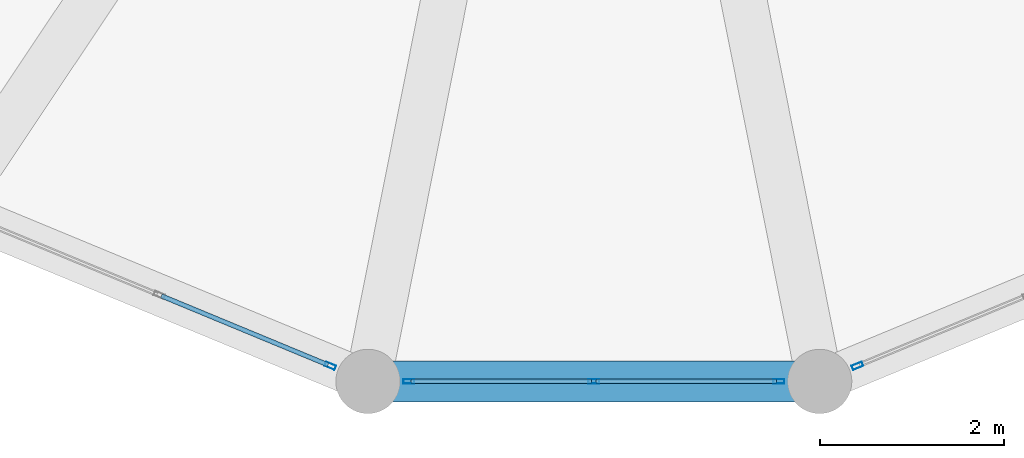
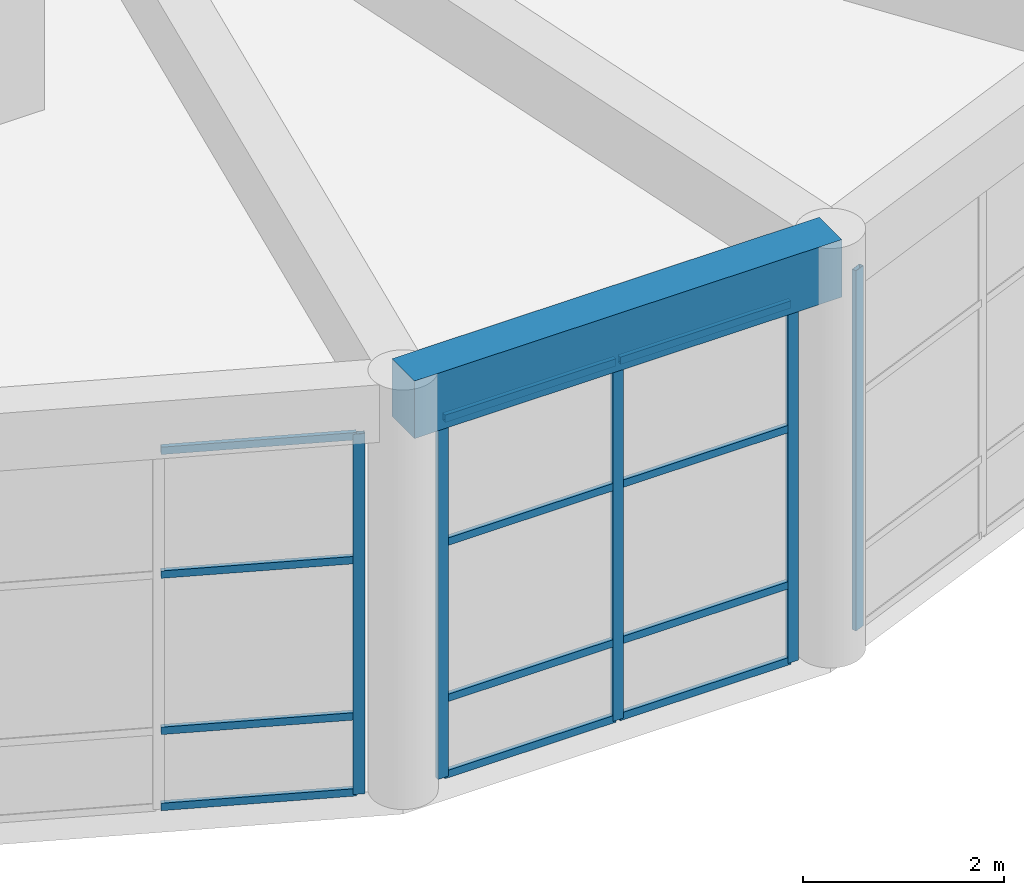
# One storey, part 5 of 95: 17 members, 1 beam, 3 elements without a shape of their own.
"""IFC4 building model written with IfcOpenShell, lengths in metres."""

from ifc_helpers import new_model, si_unit, direction, frame, origin, origin_2d, place, context, subcontext, project, spatial, rectangle, hollow_rectangle, extrude, material, material_profile, profile_set, type_object, element, aggregate, save


model = new_model("IFC4")

# Units and contexts
model_context = context("Model", 3, precision=1e-05, world=origin(), true_north=direction((0.0, 1.0)))
body_context = subcontext(model_context, "Body", "Model", "MODEL_VIEW")
ifc_project = project(units=[si_unit("LENGTHUNIT", "METRE"), si_unit("AREAUNIT", "SQUARE_METRE"), si_unit("VOLUMEUNIT", "CUBIC_METRE"), si_unit("PLANEANGLEUNIT", "RADIAN"), si_unit("MASSUNIT", "GRAM", prefix="KILO")], contexts=[model_context])

# Site, building, storey
site_placement = place(None, origin())
site = spatial("IfcSite", under=ifc_project, at=site_placement, CompositionType="ELEMENT")
building_placement = place(site_placement, origin())
building = spatial("IfcBuilding", under=site, at=building_placement, Name="Almacenes y Pasaje Nevantli", CompositionType="ELEMENT")
storey_placement = place(building_placement, frame((0.0, 0.0, 11.39990234375)))
storey = spatial("IfcBuildingStorey", under=building, at=storey_placement, Name="L03", CompositionType="ELEMENT", Elevation=11.39990234375)

# Beam
ifc_material_1 = material(Name="Concrete C35/45", Category="concrete")
ifc_material_profile_1 = material_profile(ifc_material_1, rectangle(XDim=0.449951171875, YDim=0.699951171875, at=origin_2d()), Name="RC-BM-450x700")
ifc_profile_set_1 = profile_set([ifc_material_profile_1], Name="Concrete C35/45")
beam_type = type_object("IfcBeamType", Name="BM-RC-450x700", PredefinedType="SPANDREL", material=ifc_profile_set_1)
beam_placement = place(storey_placement, frame((5.94189453125, -3.9580078125, 4.75), z_axis=(1.0, 0.0, 0.0), x_axis=(0.0, 1.0, 0.0)))
element("IfcBeam", 1, at=beam_placement, inside=storey, type_object=beam_type, Name="L03 Rotunda Ring Spandrel Beam #12", PredefinedType="SPANDREL", context=body_context, shape_type="SweptSolid", body=[
    extrude(rectangle(XDim=0.449951171875, YDim=0.699951171875, at=origin_2d()), origin(), (0.0, 0.0, 1.0), 4.916259765625),
])

# Curtain wall, member
ifc_material_2 = material(Name="Thermally Broken Aluminium and Low-E Glass", Category="aluminium")
curtain_wall_type = type_object("IfcCurtainWallType", Name="CW-UNIT-ROTUNDA", PredefinedType="USERDEFINED", material=ifc_material_2)
curtain_wall_1_placement = place(storey_placement, origin())
curtain_wall_1 = element("IfcCurtainWall", 2, at=curtain_wall_1_placement, inside=storey, type_object=curtain_wall_type, Name="L03 Corner Rotunda Faceted Curtain Wall Facet #11", ObjectType="UNITIZED CURTAIN WALL", PredefinedType="USERDEFINED")
ifc_material_3 = material(Name="Thermally Broken Anodized Aluminium", Category="aluminium")
ifc_material_profile_2 = material_profile(ifc_material_3, hollow_rectangle(XDim=0.050048828125, YDim=0.1201171875, WallThickness=0.003173828125, at=origin_2d()), Name="ALU-MUL-50x120")
ifc_profile_set_2 = profile_set([ifc_material_profile_2], Name="Thermally Broken Anodized Aluminium")
member_type_1 = type_object("IfcMemberType", Name="CW-MUL-140", PredefinedType="MULLION", material=ifc_profile_set_2)
member_1_placement = place(storey_placement, frame((5.53076171875, -3.78759765625, 0.0), z_axis=(0.0, 0.0, 1.0), x_axis=(0.382698450865, 0.923873311502, 0.0)))
member_1 = element("IfcMember", 3, at=member_1_placement, type_object=member_type_1, Name="CW-L03-063 mullion 3", PredefinedType="MULLION", context=body_context, shape_type="SweptSolid", body=[
    extrude(hollow_rectangle(XDim=0.050048828125, YDim=0.1201171875, WallThickness=0.003173828125, at=origin_2d()), origin(), (0.0, 0.0, 1.0), 4.380126953125),
])

# Curtain wall, members
curtain_wall_2_placement = place(storey_placement, origin())
curtain_wall_2 = element("IfcCurtainWall", 4, at=curtain_wall_2_placement, inside=storey, type_object=curtain_wall_type, Name="L03 Corner Rotunda Faceted Curtain Wall Facet #12", ObjectType="UNITIZED CURTAIN WALL", PredefinedType="USERDEFINED")
member_2_placement = place(storey_placement, frame((6.386962890625, -3.9580078125, 0.0), z_axis=(0.0, 0.0, 1.0), x_axis=(0.0, 1.0, 0.0)))
member_2 = element("IfcMember", 5, at=member_2_placement, type_object=member_type_1, Name="CW-L03-064 mullion 1", PredefinedType="MULLION", context=body_context, shape_type="SweptSolid", body=[
    extrude(hollow_rectangle(XDim=0.050048828125, YDim=0.1201171875, WallThickness=0.003173828125, at=origin_2d()), origin(), (0.0, 0.0, 1.0), 4.380126953125),
])
member_3_placement = place(storey_placement, frame((8.39990234375, -3.9580078125, 0.0), z_axis=(0.0, 0.0, 1.0), x_axis=(0.0, 1.0, 0.0)))
member_3 = element("IfcMember", 6, at=member_3_placement, type_object=member_type_1, Name="CW-L03-064 mullion 2", PredefinedType="MULLION", context=body_context, shape_type="SweptSolid", body=[
    extrude(hollow_rectangle(XDim=0.050048828125, YDim=0.1201171875, WallThickness=0.003173828125, at=origin_2d()), origin(), (0.0, 0.0, 1.0), 4.380126953125),
])
member_4_placement = place(storey_placement, frame((10.4130859375, -3.9580078125, 0.0), z_axis=(0.0, 0.0, 1.0), x_axis=(0.0, 1.0, 0.0)))
member_4 = element("IfcMember", 7, at=member_4_placement, type_object=member_type_1, Name="CW-L03-064 mullion 3", PredefinedType="MULLION", context=body_context, shape_type="SweptSolid", body=[
    extrude(hollow_rectangle(XDim=0.050048828125, YDim=0.1201171875, WallThickness=0.003173828125, at=origin_2d()), origin(), (0.0, 0.0, 1.0), 4.380126953125),
])

# Curtain wall, member
curtain_wall_3_placement = place(storey_placement, origin())
curtain_wall_3 = element("IfcCurtainWall", 8, at=curtain_wall_3_placement, inside=storey, type_object=curtain_wall_type, Name="L03 Corner Rotunda Faceted Curtain Wall Facet #13", ObjectType="UNITIZED CURTAIN WALL", PredefinedType="USERDEFINED")
member_5_placement = place(storey_placement, frame((11.269287109375, -3.78759765625, 0.0), z_axis=(0.0, 0.0, 1.0), x_axis=(-0.382698450865, 0.923873311502, 0.0)))
member_5 = element("IfcMember", 9, at=member_5_placement, type_object=member_type_1, Name="CW-L03-065 mullion 1", PredefinedType="MULLION", context=body_context, shape_type="SweptSolid", body=[
    extrude(hollow_rectangle(XDim=0.050048828125, YDim=0.1201171875, WallThickness=0.003173828125, at=origin_2d()), origin(), (0.0, 0.0, 1.0), 4.380126953125),
])
aggregate(curtain_wall_3, [member_5])

# Member
ifc_material_4 = material(Name="Thermally Broken Anodized Aluminium", Category="aluminium")
ifc_material_profile_3 = material_profile(ifc_material_4, hollow_rectangle(XDim=0.050048828125, YDim=0.090087890625, WallThickness=0.0029296875, at=origin_2d()), Name="ALU-TRN-50x90")
ifc_profile_set_3 = profile_set([ifc_material_profile_3], Name="Thermally Broken Anodized Aluminium")
member_type_2 = type_object("IfcMemberType", Name="CW-TRN-100", PredefinedType="USERDEFINED", material=ifc_profile_set_3)
member_6_placement = place(storey_placement, frame((3.69384765625, -3.02685546875, 0.025146484375), z_axis=(0.923887998679, -0.382662992588, 0.0), x_axis=(0.382662992588, 0.923887998679, 0.0)))
member_6 = element("IfcMember", 10, at=member_6_placement, type_object=member_type_2, Name="CW-L03-063 transom 2.1", ObjectType="TRANSOM", PredefinedType="USERDEFINED", context=body_context, shape_type="SweptSolid", body=[
    extrude(hollow_rectangle(XDim=0.050048828125, YDim=0.090087890625, WallThickness=0.0029296875, at=origin_2d()), origin(), (0.0, 0.0, 1.0), 1.963134765625),
])

member_7_placement = place(storey_placement, frame((3.69384765625, -3.02685546875, 0.9501953125), z_axis=(0.923887998679, -0.382662992588, 0.0), x_axis=(0.382662992588, 0.923887998679, 0.0)))
member_7 = element("IfcMember", 11, at=member_7_placement, type_object=member_type_2, Name="CW-L03-063 transom 2.2", ObjectType="TRANSOM", PredefinedType="USERDEFINED", context=body_context, shape_type="SweptSolid", body=[
    extrude(hollow_rectangle(XDim=0.050048828125, YDim=0.090087890625, WallThickness=0.0029296875, at=origin_2d()), origin(), (0.0, 0.0, 1.0), 1.963134765625),
])

member_8_placement = place(storey_placement, frame((3.69384765625, -3.02685546875, 2.85009765625), z_axis=(0.923887998679, -0.382662992588, 0.0), x_axis=(0.382662992588, 0.923887998679, 0.0)))
member_8 = element("IfcMember", 12, at=member_8_placement, type_object=member_type_2, Name="CW-L03-063 transom 2.3", ObjectType="TRANSOM", PredefinedType="USERDEFINED", context=body_context, shape_type="SweptSolid", body=[
    extrude(hollow_rectangle(XDim=0.050048828125, YDim=0.090087890625, WallThickness=0.0029296875, at=origin_2d()), origin(), (0.0, 0.0, 1.0), 1.963134765625),
])

member_9_placement = place(storey_placement, frame((3.69384765625, -3.02685546875, 4.35498046875), z_axis=(0.923887998679, -0.382662992588, 0.0), x_axis=(0.382662992588, 0.923887998679, 0.0)))
member_9 = element("IfcMember", 13, at=member_9_placement, type_object=member_type_2, Name="CW-L03-063 transom 2.4", ObjectType="TRANSOM", PredefinedType="USERDEFINED", context=body_context, shape_type="SweptSolid", body=[
    extrude(hollow_rectangle(XDim=0.050048828125, YDim=0.090087890625, WallThickness=0.0029296875, at=origin_2d()), origin(), (0.0, 0.0, 1.0), 1.963134765625),
])

aggregate(curtain_wall_1, [member_1, member_6, member_7, member_8, member_9])

member_10_placement = place(storey_placement, frame((6.411865234375, -3.9580078125, 0.025146484375), z_axis=(1.0, 0.0, 0.0), x_axis=(0.0, 1.0, 0.0)))
member_10 = element("IfcMember", 14, at=member_10_placement, type_object=member_type_2, Name="CW-L03-064 transom 1.1", ObjectType="TRANSOM", PredefinedType="USERDEFINED", context=body_context, shape_type="SweptSolid", body=[
    extrude(hollow_rectangle(XDim=0.050048828125, YDim=0.090087890625, WallThickness=0.0029296875, at=origin_2d()), origin(), (0.0, 0.0, 1.0), 1.963134765625),
])

member_11_placement = place(storey_placement, frame((6.411865234375, -3.9580078125, 0.9501953125), z_axis=(1.0, 0.0, 0.0), x_axis=(0.0, 1.0, 0.0)))
member_11 = element("IfcMember", 15, at=member_11_placement, type_object=member_type_2, Name="CW-L03-064 transom 1.2", ObjectType="TRANSOM", PredefinedType="USERDEFINED", context=body_context, shape_type="SweptSolid", body=[
    extrude(hollow_rectangle(XDim=0.050048828125, YDim=0.090087890625, WallThickness=0.0029296875, at=origin_2d()), origin(), (0.0, 0.0, 1.0), 1.963134765625),
])

member_12_placement = place(storey_placement, frame((6.411865234375, -3.9580078125, 2.85009765625), z_axis=(1.0, 0.0, 0.0), x_axis=(0.0, 1.0, 0.0)))
member_12 = element("IfcMember", 16, at=member_12_placement, type_object=member_type_2, Name="CW-L03-064 transom 1.3", ObjectType="TRANSOM", PredefinedType="USERDEFINED", context=body_context, shape_type="SweptSolid", body=[
    extrude(hollow_rectangle(XDim=0.050048828125, YDim=0.090087890625, WallThickness=0.0029296875, at=origin_2d()), origin(), (0.0, 0.0, 1.0), 1.963134765625),
])

member_13_placement = place(storey_placement, frame((6.411865234375, -3.9580078125, 4.35498046875), z_axis=(1.0, 0.0, 0.0), x_axis=(0.0, 1.0, 0.0)))
member_13 = element("IfcMember", 17, at=member_13_placement, type_object=member_type_2, Name="CW-L03-064 transom 1.4", ObjectType="TRANSOM", PredefinedType="USERDEFINED", context=body_context, shape_type="SweptSolid", body=[
    extrude(hollow_rectangle(XDim=0.050048828125, YDim=0.090087890625, WallThickness=0.0029296875, at=origin_2d()), origin(), (0.0, 0.0, 1.0), 1.963134765625),
])

member_14_placement = place(storey_placement, frame((8.425048828125, -3.9580078125, 0.025146484375), z_axis=(1.0, 0.0, 0.0), x_axis=(0.0, 1.0, 0.0)))
member_14 = element("IfcMember", 18, at=member_14_placement, type_object=member_type_2, Name="CW-L03-064 transom 2.1", ObjectType="TRANSOM", PredefinedType="USERDEFINED", context=body_context, shape_type="SweptSolid", body=[
    extrude(hollow_rectangle(XDim=0.050048828125, YDim=0.090087890625, WallThickness=0.0029296875, at=origin_2d()), origin(), (0.0, 0.0, 1.0), 1.963134765625),
])

member_15_placement = place(storey_placement, frame((8.425048828125, -3.9580078125, 0.9501953125), z_axis=(1.0, 0.0, 0.0), x_axis=(0.0, 1.0, 0.0)))
member_15 = element("IfcMember", 19, at=member_15_placement, type_object=member_type_2, Name="CW-L03-064 transom 2.2", ObjectType="TRANSOM", PredefinedType="USERDEFINED", context=body_context, shape_type="SweptSolid", body=[
    extrude(hollow_rectangle(XDim=0.050048828125, YDim=0.090087890625, WallThickness=0.0029296875, at=origin_2d()), origin(), (0.0, 0.0, 1.0), 1.963134765625),
])

member_16_placement = place(storey_placement, frame((8.425048828125, -3.9580078125, 2.85009765625), z_axis=(1.0, 0.0, 0.0), x_axis=(0.0, 1.0, 0.0)))
member_16 = element("IfcMember", 20, at=member_16_placement, type_object=member_type_2, Name="CW-L03-064 transom 2.3", ObjectType="TRANSOM", PredefinedType="USERDEFINED", context=body_context, shape_type="SweptSolid", body=[
    extrude(hollow_rectangle(XDim=0.050048828125, YDim=0.090087890625, WallThickness=0.0029296875, at=origin_2d()), origin(), (0.0, 0.0, 1.0), 1.963134765625),
])

member_17_placement = place(storey_placement, frame((8.425048828125, -3.9580078125, 4.35498046875), z_axis=(1.0, 0.0, 0.0), x_axis=(0.0, 1.0, 0.0)))
member_17 = element("IfcMember", 21, at=member_17_placement, type_object=member_type_2, Name="CW-L03-064 transom 2.4", ObjectType="TRANSOM", PredefinedType="USERDEFINED", context=body_context, shape_type="SweptSolid", body=[
    extrude(hollow_rectangle(XDim=0.050048828125, YDim=0.090087890625, WallThickness=0.0029296875, at=origin_2d()), origin(), (0.0, 0.0, 1.0), 1.963134765625),
])

aggregate(curtain_wall_2, [member_2, member_3, member_4, member_10, member_11, member_12, member_13, member_14, member_15, member_16, member_17])

save(model, "model.ifc")
